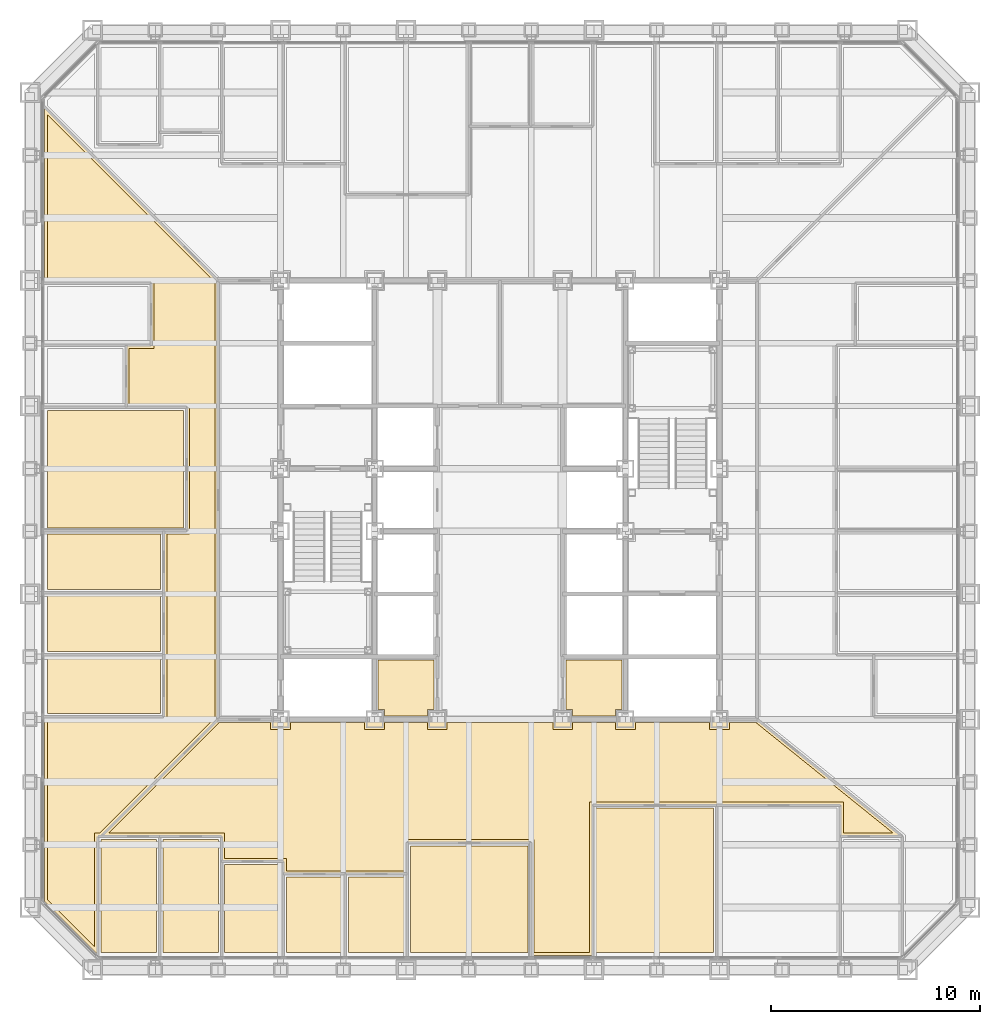
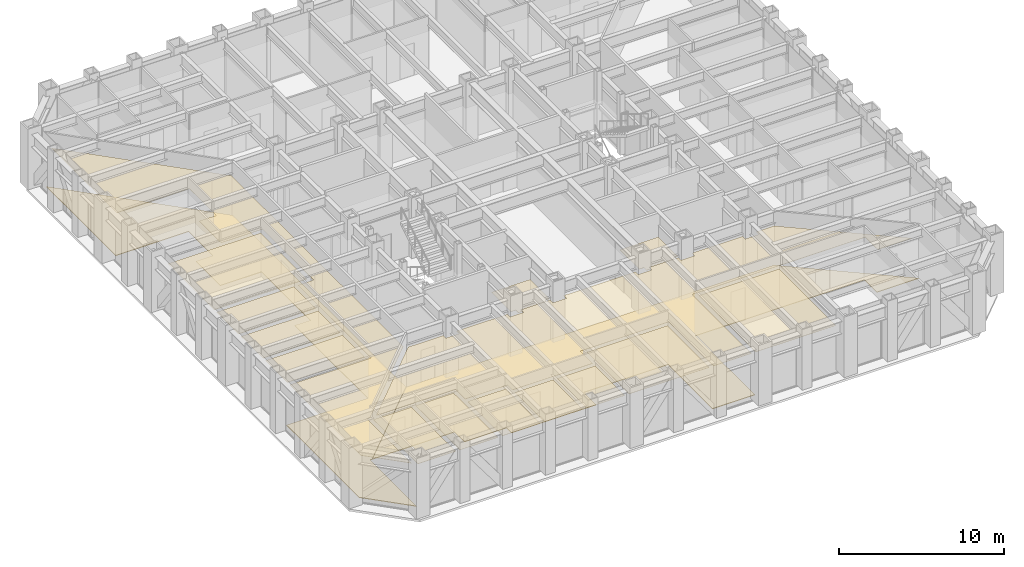
# One storey, part 14 of 17: 17 coverings.
"""IFC4 building model written with IfcOpenShell, lengths in metres."""

import ifcopenshell
import ifcopenshell.guid

model = None  # the IFC model being written
_history = None  # IfcOwnerHistory: only IFC2X3 demands one
_inside = {}  # id of a spatial element -> (the spatial element, [elements in it])
_under = {}  # id of a project, library or spatial element -> (it, [spatial elements below it])
_declared = {}  # id of a project -> (the project, [libraries it declares])
_typed = {}  # id of a type object -> (the type object, [elements of that type])
_made_of = {}  # id of a material, layer set ... -> (it, [elements and type objects made of it])


def new_model(schema):
    """Start an empty IFC model of exactly this schema.

    Asked for "IFC4X3", IfcOpenShell would pick the latest addendum, in which some entities
    have other attributes; the version numbers below select the first issue.
    IFC2X3 requires an IfcOwnerHistory on every rooted entity: one is made here for all.
    """
    global model, _history
    if schema == "IFC4X3":
        model = ifcopenshell.file(schema_version=(4, 3, 0, 0))
    else:
        model = ifcopenshell.file(schema=schema)
    _inside.clear()
    _under.clear()
    _declared.clear()
    _typed.clear()
    _made_of.clear()
    _history = None
    if model.schema == "IFC2X3":
        org = make("IfcOrganization", Name="unknown")
        user = make(
            "IfcPersonAndOrganization",
            ThePerson=make("IfcPerson", FamilyName="unknown"),
            TheOrganization=org,
        )
        app = make(
            "IfcApplication",
            ApplicationDeveloper=org,
            Version="unknown",
            ApplicationFullName="unknown",
            ApplicationIdentifier="unknown",
        )
        _history = make(
            "IfcOwnerHistory",
            OwningUser=user,
            OwningApplication=app,
            ChangeAction="ADDED",
            CreationDate=0,
        )
    return model


def make(cls, **values):
    """One entity of the class cls with the attributes given. An attribute that is None is left unset."""
    return model.create_entity(
        cls, **{name: value for name, value in values.items() if value is not None}
    )


def rooted(cls, **values):
    """An entity with a GlobalId (a new one), such as an element, a storey or a relation."""
    return make(cls, GlobalId=ifcopenshell.guid.new(), OwnerHistory=_history, **values)


def si_unit(unit_type, name, prefix=None):
    """IfcSIUnit, for example si_unit("LENGTHUNIT", "METRE", prefix="MILLI")."""
    return make("IfcSIUnit", UnitType=unit_type, Prefix=prefix, Name=name)


def assignment(units):
    """IfcUnitAssignment: the units of a project."""
    return None if units is None else make("IfcUnitAssignment", Units=units)


def point(xyz):
    """IfcCartesianPoint."""
    return None if xyz is None else make("IfcCartesianPoint", Coordinates=xyz)


def direction(xyz):
    """IfcDirection."""
    return None if xyz is None else make("IfcDirection", DirectionRatios=xyz)


def frame(location, z_axis=None, x_axis=None):
    """IfcAxis2Placement3D, a coordinate frame: its origin and axes. An axis left out is left unset."""
    return make(
        "IfcAxis2Placement3D",
        Location=point(location),
        Axis=direction(z_axis),
        RefDirection=direction(x_axis),
    )


def origin():
    """The frame at (0, 0, 0) with its axes left unset."""
    return frame((0.0, 0.0, 0.0))


def place(relative_to, where):
    """IfcLocalPlacement: puts the frame where relative to a parent placement (None: the world)."""
    return make(
        "IfcLocalPlacement", PlacementRelTo=relative_to, RelativePlacement=where
    )


def context(
    kind, dimensions, precision=None, world=None, true_north=None, identifier=None
):
    """IfcGeometricRepresentationContext, for example the 3D "Model" context."""
    return make(
        "IfcGeometricRepresentationContext",
        ContextIdentifier=identifier,
        ContextType=kind,
        CoordinateSpaceDimension=dimensions,
        Precision=precision,
        WorldCoordinateSystem=world,
        TrueNorth=true_north,
    )


def subcontext(parent, identifier, kind, view, scale=None):
    """IfcGeometricRepresentationSubContext, for example "Body" below "Model"."""
    return make(
        "IfcGeometricRepresentationSubContext",
        ContextIdentifier=identifier,
        ContextType=kind,
        ParentContext=parent,
        TargetScale=scale,
        TargetView=view,
    )


def project(units=None, contexts=None):
    """IfcProject with its units and contexts."""
    return rooted(
        "IfcProject",
        Name="project",
        RepresentationContexts=contexts,
        UnitsInContext=assignment(units),
    )


def spatial(cls, under=None, at=None, **own):
    """A site, building, storey or space (cls), placed at a placement, below another one or the project."""
    s = rooted(cls, ObjectPlacement=at, **own)
    if under is not None:
        _under.setdefault(under.id(), (under, []))[1].append(s)
    return s


def polyline(points):
    """IfcPolyline through the points."""
    return make("IfcPolyline", Points=[point(p) for p in points])


def outline(outer, holes=None, kind="AREA"):
    """IfcArbitraryClosedProfileDef: a profile drawn as a closed curve; with holes, ...WithVoids."""
    if holes is None:
        return make("IfcArbitraryClosedProfileDef", ProfileType=kind, OuterCurve=outer)
    return make(
        "IfcArbitraryProfileDefWithVoids",
        ProfileType=kind,
        OuterCurve=outer,
        InnerCurves=holes,
    )


def extrude(swept, where, along, depth):
    """IfcExtrudedAreaSolid: the profile swept, set in the frame where, extruded along a direction by depth."""
    return make(
        "IfcExtrudedAreaSolid",
        SweptArea=swept,
        Position=where,
        ExtrudedDirection=direction(along),
        Depth=depth,
    )


def shape(context_of_items, identifier, shape_type, items):
    """IfcShapeRepresentation: the items that make up one representation, for example the "Body"."""
    return make(
        "IfcShapeRepresentation",
        ContextOfItems=context_of_items,
        RepresentationIdentifier=identifier,
        RepresentationType=shape_type,
        Items=items,
    )


def material(Name=None, Category=None):
    """IfcMaterial."""
    return make("IfcMaterial", Name=Name, Category=Category)


def layer(
    of_material, thickness, ventilated=None, Name=None, Category=None, Priority=None
):
    """IfcMaterialLayer: one layer of a wall or slab, of a material (None: an air gap)."""
    return make(
        "IfcMaterialLayer",
        Material=of_material,
        LayerThickness=thickness,
        IsVentilated=ventilated,
        Name=Name,
        Category=Category,
        Priority=Priority,
    )


def layer_set(layers, Name=None):
    """IfcMaterialLayerSet."""
    return make("IfcMaterialLayerSet", MaterialLayers=layers, LayerSetName=Name)


def made_of(thing, what):
    """Note that an element or type object is made of a material, layer set ...; save() writes the relation."""
    if what is not None:
        _made_of.setdefault(what.id(), (what, []))[1].append(thing)
    return thing


def type_object(cls, material=None, **own):
    """A type object (cls), such as IfcWallType, which elements share."""
    return made_of(rooted(cls, **own), material)


def element(
    cls,
    number,
    at=None,
    inside=None,
    cuts=None,
    type_object=None,
    material=None,
    context=None,
    identifier="Body",
    shape_type=None,
    held_by="IfcProductDefinitionShape",
    body=None,
    shapes=None,
    **own,
):
    """One element of the class cls, such as IfcWall. Its Tag is "e" and its number.

    at: its placement. inside: the storey or other place that contains it. cuts: it is an
    opening in that element (IfcRelVoidsElement). A single representation is given by context,
    identifier, shape_type and body (its items); several are given by shapes. held_by: the class
    of the entity that holds the representations. save() writes the other relations.
    """
    e = rooted(cls, Tag="e%d" % number, ObjectPlacement=at, **own)
    if body is not None:
        shapes = [shape(context, identifier, shape_type, body)]
    if shapes is not None:
        e.Representation = make(held_by, Representations=shapes)
    if inside is not None:
        _inside.setdefault(inside.id(), (inside, []))[1].append(e)
    if cuts is not None:
        rooted(
            "IfcRelVoidsElement", RelatingBuildingElement=cuts, RelatedOpeningElement=e
        )
    if type_object is not None:
        _typed.setdefault(type_object.id(), (type_object, []))[1].append(e)
    return made_of(e, material)


def aggregate(whole, parts):
    """IfcRelAggregates: a whole, such as a stair, and the parts it consists of."""
    return rooted("IfcRelAggregates", RelatingObject=whole, RelatedObjects=parts)


def save(model, path):
    """Write the relations noted so far, then the file.

    IfcRelAggregates (storeys below a building ...), IfcRelContainedInSpatialStructure (elements
    in a storey), IfcRelDefinesByType, IfcRelAssociatesMaterial and IfcRelDeclares: one each for
    every whole, place, type object, material and project.
    """
    for whole, parts in _under.values():
        aggregate(whole, parts)
    for where, things in _inside.values():
        rooted(
            "IfcRelContainedInSpatialStructure",
            RelatedElements=things,
            RelatingStructure=where,
        )
    for kind, things in _typed.values():
        rooted("IfcRelDefinesByType", RelatedObjects=things, RelatingType=kind)
    for what, things in _made_of.values():
        rooted("IfcRelAssociatesMaterial", RelatedObjects=things, RelatingMaterial=what)
    for by, libraries in _declared.values():
        rooted("IfcRelDeclares", RelatingContext=by, RelatedDefinitions=libraries)
    model.write(path)


model = new_model("IFC4")

# Units and contexts
model_context = context("Model", 3, precision=1e-05, world=origin(), true_north=direction((0.0, 1.0)))
body_context = subcontext(model_context, "Body", "Model", "MODEL_VIEW")
ifc_project = project(units=[si_unit("LENGTHUNIT", "METRE"), si_unit("AREAUNIT", "SQUARE_METRE"), si_unit("VOLUMEUNIT", "CUBIC_METRE"), si_unit("PLANEANGLEUNIT", "RADIAN"), si_unit("MASSUNIT", "GRAM", prefix="KILO")], contexts=[model_context])

# Site, building, storey
site_placement = place(None, origin())
site = spatial("IfcSite", under=ifc_project, at=site_placement, CompositionType="ELEMENT")
building_placement = place(site_placement, origin())
building = spatial("IfcBuilding", under=site, at=building_placement, Name="Chuquiago Exchange Tower", CompositionType="ELEMENT")
storey_placement = place(building_placement, frame((0.0, 0.0, 42.300048828125)))
storey = spatial("IfcBuildingStorey", under=building, at=storey_placement, Name="L08", CompositionType="ELEMENT", Elevation=42.300048828125)

# Coverings
ifc_material_1 = material(Name="Mineral fibre tile, 600 x 600, on pale metal grid", Category="mineral fibre")
ifc_layer_1 = layer(ifc_material_1, 0.02001953125)
ifc_layer_set_1 = layer_set([ifc_layer_1], Name="CL1 suspended tile ceiling 20")
covering_type_1 = type_object("IfcCoveringType", Name="CL1 suspended tile ceiling 20", PredefinedType="CEILING", material=ifc_layer_set_1)
covering_1_placement = place(storey_placement, frame((0.0, 0.0, 3.0)))
element("IfcCovering", 1, at=covering_1_placement, inside=storey, type_object=covering_type_1, Name="Ceiling Office", PredefinedType="CEILING", context=body_context, shape_type="SweptSolid", body=[
    extrude(outline(polyline([(3.3984375, 6.25), (6.060302734375, 6.25), (6.060302734375, 0.85009765625), (3.3984375, 0.85009765625), (3.3984375, 6.25)])), origin(), (0.0, 0.0, 1.0), 0.02001953125),
])
covering_2_placement = place(storey_placement, frame((0.0, 0.0, 3.0)))
element("IfcCovering", 2, at=covering_2_placement, inside=storey, type_object=covering_type_1, Name="Ceiling Office", PredefinedType="CEILING", context=body_context, shape_type="SweptSolid", body=[
    extrude(outline(polyline([(6.3603515625, 6.25), (9.022216796875, 6.25), (9.022216796875, 0.85009765625), (6.3603515625, 0.85009765625), (6.3603515625, 6.25)])), origin(), (0.0, 0.0, 1.0), 0.02001953125),
])
covering_3_placement = place(storey_placement, frame((0.0, 0.0, 3.0)))
element("IfcCovering", 3, at=covering_3_placement, inside=storey, type_object=covering_type_1, Name="Ceiling Pantry", PredefinedType="CEILING", context=body_context, shape_type="SweptSolid", body=[
    extrude(outline(polyline([(9.322021484375, 5.050048828125), (11.98388671875, 5.050048828125), (11.98388671875, 0.85009765625), (9.322021484375, 0.85009765625), (9.322021484375, 5.050048828125)])), origin(), (0.0, 0.0, 1.0), 0.02001953125),
])
covering_4_placement = place(storey_placement, frame((0.0, 0.0, 3.0)))
element("IfcCovering", 4, at=covering_4_placement, inside=storey, type_object=covering_type_1, Name="Ceiling Focus room", PredefinedType="CEILING", context=body_context, shape_type="SweptSolid", body=[
    extrude(outline(polyline([(12.28369140625, 4.449951171875), (14.945556640625, 4.449951171875), (14.945556640625, 0.85009765625), (12.28369140625, 0.85009765625), (12.28369140625, 4.449951171875)])), origin(), (0.0, 0.0, 1.0), 0.02001953125),
])
covering_5_placement = place(storey_placement, frame((0.0, 0.0, 3.0)))
element("IfcCovering", 5, at=covering_5_placement, inside=storey, type_object=covering_type_1, Name="Ceiling Focus room", PredefinedType="CEILING", context=body_context, shape_type="SweptSolid", body=[
    extrude(outline(polyline([(15.24560546875, 4.449951171875), (17.907470703125, 4.449951171875), (17.907470703125, 0.85009765625), (15.24560546875, 0.85009765625), (15.24560546875, 4.449951171875)])), origin(), (0.0, 0.0, 1.0), 0.02001953125),
])
covering_6_placement = place(storey_placement, frame((0.0, 0.0, 3.0)))
element("IfcCovering", 6, at=covering_6_placement, inside=storey, type_object=covering_type_1, Name="Ceiling Meeting room", PredefinedType="CEILING", context=body_context, shape_type="SweptSolid", body=[
    extrude(outline(polyline([(18.20751953125, 5.949951171875), (23.830810546875, 5.949951171875), (23.830810546875, 0.85009765625), (18.20751953125, 0.85009765625), (18.20751953125, 5.949951171875)])), origin(), (0.0, 0.0, 1.0), 0.02001953125),
])
covering_7_placement = place(storey_placement, frame((0.0, 0.0, 3.0)))
element("IfcCovering", 7, at=covering_7_placement, inside=storey, type_object=covering_type_1, Name="Ceiling Risk management office", PredefinedType="CEILING", context=body_context, shape_type="SweptSolid", body=[
    extrude(outline(polyline([(27.092529296875, 7.75), (32.71630859375, 7.75), (32.71630859375, 0.85009765625), (27.092529296875, 0.85009765625), (27.092529296875, 7.75)])), origin(), (0.0, 0.0, 1.0), 0.02001953125),
])
covering_8_placement = place(storey_placement, frame((0.0, 0.0, 3.0)))
element("IfcCovering", 8, at=covering_8_placement, inside=storey, type_object=covering_type_1, Name="Ceiling Meeting room", PredefinedType="CEILING", context=body_context, shape_type="SweptSolid", body=[
    extrude(outline(polyline([(6.25, 14.945556640625), (6.25, 12.28369140625), (0.85009765625, 12.28369140625), (0.85009765625, 14.945556640625), (6.25, 14.945556640625)])), origin(), (0.0, 0.0, 1.0), 0.02001953125),
])
covering_9_placement = place(storey_placement, frame((0.0, 0.0, 3.0)))
element("IfcCovering", 9, at=covering_9_placement, inside=storey, type_object=covering_type_1, Name="Ceiling Meeting room", PredefinedType="CEILING", context=body_context, shape_type="SweptSolid", body=[
    extrude(outline(polyline([(6.25, 17.907470703125), (6.25, 15.24560546875), (0.85009765625, 15.24560546875), (0.85009765625, 17.907470703125), (6.25, 17.907470703125)])), origin(), (0.0, 0.0, 1.0), 0.02001953125),
])
covering_10_placement = place(storey_placement, frame((0.0, 0.0, 3.0)))
element("IfcCovering", 10, at=covering_10_placement, inside=storey, type_object=covering_type_1, Name="Ceiling Meeting room", PredefinedType="CEILING", context=body_context, shape_type="SweptSolid", body=[
    extrude(outline(polyline([(6.25, 20.869140625), (6.25, 18.20751953125), (0.85009765625, 18.20751953125), (0.85009765625, 20.869140625), (6.25, 20.869140625)])), origin(), (0.0, 0.0, 1.0), 0.02001953125),
])
covering_11_placement = place(storey_placement, frame((0.0, 0.0, 3.0)))
element("IfcCovering", 11, at=covering_11_placement, inside=storey, type_object=covering_type_1, Name="Ceiling Conference room", PredefinedType="CEILING", context=body_context, shape_type="SweptSolid", body=[
    extrude(outline(polyline([(7.35009765625, 26.79248046875), (7.35009765625, 21.169189453125), (0.85009765625, 21.169189453125), (0.85009765625, 26.79248046875), (7.35009765625, 26.79248046875)])), origin(), (0.0, 0.0, 1.0), 0.02001953125),
])
covering_12_placement = place(storey_placement, frame((0.0, 0.0, 3.0)))
element("IfcCovering", 12, at=covering_12_placement, inside=storey, type_object=covering_type_1, Name="Ceiling Trading floor south", PredefinedType="CEILING", context=body_context, shape_type="SweptSolid", body=[
    extrude(outline(polyline([(38.939697265625, 8.050048828125), (26.79248046875, 8.050048828125), (26.79248046875, 0.85009765625), (24.130859375, 0.85009765625), (24.130859375, 6.25), (17.907470703125, 6.25), (17.907470703125, 4.75), (12.28369140625, 4.75), (12.28369140625, 5.35009765625), (9.322021484375, 5.35009765625), (9.322021484375, 6.550048828125), (3.7626953125, 6.550048828125), (9.0625, 11.85009765625), (11.52490234375, 11.85009765625), (11.52490234375, 11.52490234375), (12.47509765625, 11.52490234375), (12.47509765625, 11.85009765625), (16.02490234375, 11.85009765625), (16.02490234375, 11.52490234375), (16.97509765625, 11.52490234375), (16.97509765625, 11.85009765625), (19.02490234375, 11.85009765625), (19.02490234375, 11.52490234375), (19.97509765625, 11.52490234375), (19.97509765625, 11.85009765625), (25.02490234375, 11.85009765625), (25.02490234375, 11.52490234375), (25.97509765625, 11.52490234375), (25.97509765625, 11.85009765625), (28.02490234375, 11.85009765625), (28.02490234375, 11.52490234375), (28.97509765625, 11.52490234375), (28.97509765625, 11.85009765625), (32.52490234375, 11.85009765625), (32.52490234375, 11.52490234375), (33.47509765625, 11.52490234375), (33.47509765625, 11.85009765625), (34.74658203125, 11.85009765625), (41.325439453125, 6.550048828125), (38.939697265625, 6.550048828125), (38.939697265625, 8.050048828125)])), origin(), (0.0, 0.0, 1.0), 0.02001953125),
])
covering_13_placement = place(storey_placement, frame((0.0, 0.0, 3.0)))
element("IfcCovering", 13, at=covering_13_placement, inside=storey, type_object=covering_type_1, Name="Ceiling Trading floor west", PredefinedType="CEILING", context=body_context, shape_type="SweptSolid", body=[
    extrude(outline(polyline([(6.550048828125, 20.869140625), (7.64990234375, 20.869140625), (7.64990234375, 27.092529296875), (4.75, 27.092529296875), (4.75, 29.75439453125), (5.949951171875, 29.75439453125), (5.949951171875, 33.01611328125), (0.85009765625, 33.01611328125), (0.85009765625, 40.937255859375), (8.85009765625, 32.9375), (8.85009765625, 12.0625), (3.337158203125, 6.550048828125), (3.098388671875, 6.550048828125), (3.098388671875, 1.103515625), (0.85009765625, 3.35205078125), (0.85009765625, 11.98388671875), (6.550048828125, 11.98388671875), (6.550048828125, 20.869140625)])), origin(), (0.0, 0.0, 1.0), 0.02001953125),
])
ifc_material_2 = material(Name="Moisture resistant plasterboard on metal frame", Category="gypsum")
ifc_layer_2 = layer(ifc_material_2, 0.014892578125)
ifc_layer_set_2 = layer_set([ifc_layer_2], Name="CL2 moisture resistant ceiling 15")
covering_type_2 = type_object("IfcCoveringType", Name="CL2 moisture resistant ceiling 15", PredefinedType="CEILING", material=ifc_layer_set_2)
covering_14_placement = place(storey_placement, frame((0.0, 0.0, 2.599853515625)))
element("IfcCovering", 14, at=covering_14_placement, inside=storey, type_object=covering_type_2, Name="Ceiling Accessible WC", PredefinedType="CEILING", context=body_context, shape_type="SweptSolid", body=[
    extrude(outline(polyline([(25.97509765625, 12.14990234375), (25.97509765625, 12.47509765625), (25.64990234375, 12.47509765625), (25.64990234375, 14.85009765625), (28.35009765625, 14.85009765625), (28.35009765625, 12.47509765625), (28.02490234375, 12.47509765625), (28.02490234375, 12.14990234375), (25.97509765625, 12.14990234375)])), origin(), (0.0, 0.0, 1.0), 0.01513671875),
])
covering_15_placement = place(storey_placement, frame((0.0, 0.0, 2.599853515625)))
element("IfcCovering", 15, at=covering_15_placement, inside=storey, type_object=covering_type_2, Name="Ceiling Cleaner", PredefinedType="CEILING", context=body_context, shape_type="SweptSolid", body=[
    extrude(outline(polyline([(16.97509765625, 12.14990234375), (16.97509765625, 12.47509765625), (16.64990234375, 12.47509765625), (16.64990234375, 14.85009765625), (19.35009765625, 14.85009765625), (19.35009765625, 12.47509765625), (19.02490234375, 12.47509765625), (19.02490234375, 12.14990234375), (16.97509765625, 12.14990234375)])), origin(), (0.0, 0.0, 1.0), 0.01513671875),
])
ifc_material_3 = material(Name="Steel raised floor panel", Category="steel")
ifc_layer_3 = layer(ifc_material_3, 0.0400390625)
ifc_layer_set_3 = layer_set([ifc_layer_3], Name="RF1 raised access floor 40")
covering_type_3 = type_object("IfcCoveringType", Name="RF1 raised access floor 40", PredefinedType="FLOORING", material=ifc_layer_set_3)
covering_16_placement = place(storey_placement, frame((0.0, 0.0, -0.0400390625)))
element("IfcCovering", 16, at=covering_16_placement, inside=storey, type_object=covering_type_3, Name="Raised access floor Trading floor south", PredefinedType="FLOORING", context=body_context, shape_type="SweptSolid", body=[
    extrude(outline(polyline([(38.789794921875, 6.39990234375), (38.789794921875, 7.89990234375), (26.942626953125, 7.89990234375), (26.942626953125, 0.699951171875), (23.98095703125, 0.699951171875), (23.98095703125, 6.10009765625), (18.057373046875, 6.10009765625), (18.057373046875, 4.60009765625), (12.1337890625, 4.60009765625), (12.1337890625, 5.199951171875), (9.172119140625, 5.199951171875), (9.172119140625, 6.39990234375), (3.400634765625, 6.39990234375), (9.00048828125, 12.0), (34.799560546875, 12.0), (41.750732421875, 6.39990234375), (38.789794921875, 6.39990234375)])), origin(), (0.0, 0.0, 1.0), 0.0400390625),
])
covering_17_placement = place(storey_placement, frame((0.0, 0.0, -0.0400390625)))
element("IfcCovering", 17, at=covering_17_placement, inside=storey, type_object=covering_type_3, Name="Raised access floor Trading floor west", PredefinedType="FLOORING", context=body_context, shape_type="SweptSolid", body=[
    extrude(outline(polyline([(6.39990234375, 12.1337890625), (6.39990234375, 21.01904296875), (7.5, 21.01904296875), (7.5, 26.942626953125), (4.60009765625, 26.942626953125), (4.60009765625, 29.904296875), (5.800048828125, 29.904296875), (5.800048828125, 32.8662109375), (0.699951171875, 32.8662109375), (0.699951171875, 41.29931640625), (9.0, 32.99951171875), (9.0, 12.00048828125), (3.3994140625, 6.39990234375), (3.24853515625, 6.39990234375), (3.24853515625, 0.741455078125), (0.699951171875, 3.289794921875), (0.699951171875, 12.1337890625), (6.39990234375, 12.1337890625)])), origin(), (0.0, 0.0, 1.0), 0.0400390625),
])

save(model, "model.ifc")
